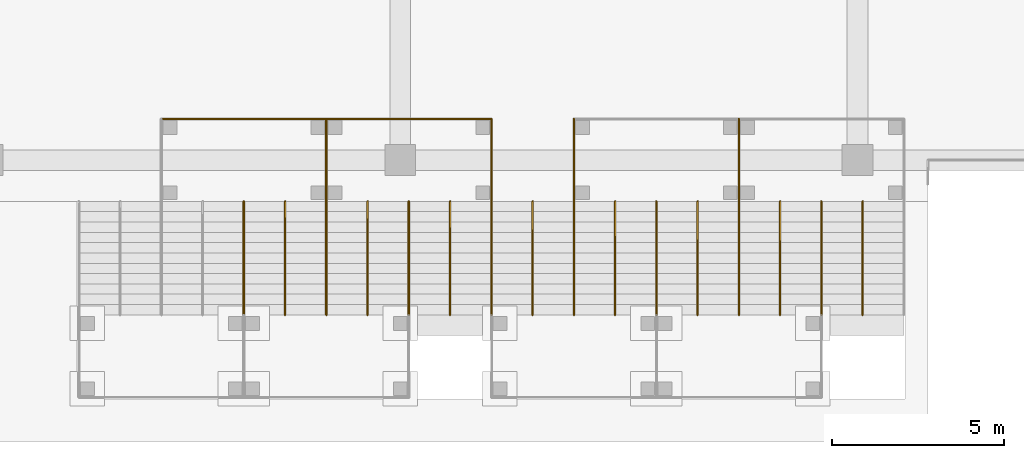
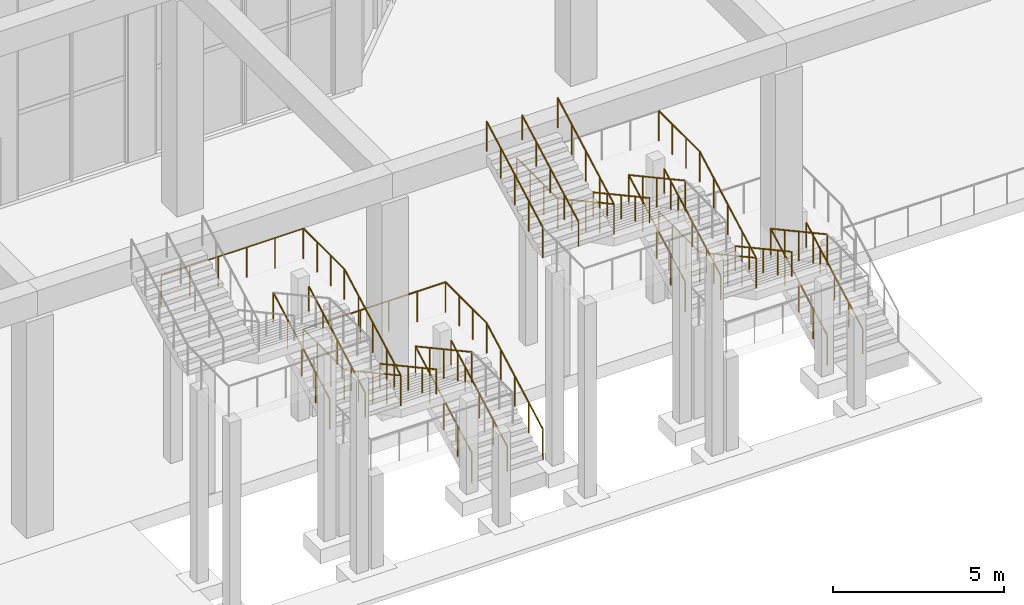
# One storey, part 33 of 43: 31 railings.
"""IFC4 building model written with IfcOpenShell, lengths in metres."""

from ifc_helpers import new_model, si_unit, direction, frame, origin, origin_2d, place, context, subcontext, project, spatial, circle, extrude, material, type_object, element, save


model = new_model("IFC4")

# Units and contexts
model_context = context("Model", 3, precision=1e-05, world=origin(), true_north=direction((0.0, 1.0)))
body_context = subcontext(model_context, "Body", "Model", "MODEL_VIEW")
ifc_project = project(units=[si_unit("LENGTHUNIT", "METRE"), si_unit("AREAUNIT", "SQUARE_METRE"), si_unit("VOLUMEUNIT", "CUBIC_METRE"), si_unit("PLANEANGLEUNIT", "RADIAN"), si_unit("MASSUNIT", "GRAM", prefix="KILO")], contexts=[model_context])

# Site, building, storey
site_placement = place(None, origin())
site = spatial("IfcSite", under=ifc_project, at=site_placement, CompositionType="ELEMENT")
building_placement = place(site_placement, origin())
building = spatial("IfcBuilding", under=site, at=building_placement, Name="Kilnfold Tower and Market Hall", CompositionType="ELEMENT")
storey_placement = place(building_placement, origin())
storey = spatial("IfcBuildingStorey", under=building, at=storey_placement, Name="L00", CompositionType="ELEMENT", Elevation=0.0)

# Railings
ifc_material_1 = material(Name="Stainless steel 316", Category="steel")
railing_type_1 = type_object("IfcRailingType", Name="DECK GUARD 1100", PredefinedType="GUARDRAIL", material=ifc_material_1)
railing_1_placement = place(storey_placement, frame((15.199951171875, -43.85009765625, 5.39990234375)))
element("IfcRailing", 1, at=railing_1_placement, inside=storey, type_object=railing_type_1, Name="Garden stair GS-S1 guard 5", PredefinedType="GUARDRAIL", context=body_context, shape_type="SweptSolid", body=[
    extrude(circle(Radius=0.02392578125, at=origin_2d()), frame((0.0, 0.0, 1.076171875), z_axis=(0.0, -0.877905501855, -0.478833927173), x_axis=(1.0, 0.0, 0.0)), (0.0, 0.0, 1.0), 3.7587890625),
    extrude(circle(Radius=0.02099609375, at=origin_2d()), origin(), (0.0, 0.0, 1.0), 1.052001953125),
    extrude(circle(Radius=0.02099609375, at=origin_2d()), frame((0.0, -0.824951171875, -0.449951171875)), (0.0, 0.0, 1.0), 1.052001953125),
    extrude(circle(Radius=0.02099609375, at=origin_2d()), frame((0.0, -1.64990234375, -0.89990234375)), (0.0, 0.0, 1.0), 1.052001953125),
    extrude(circle(Radius=0.02099609375, at=origin_2d()), frame((0.0, -2.474853515625, -1.349853515625)), (0.0, 0.0, 1.0), 1.052001953125),
    extrude(circle(Radius=0.02099609375, at=origin_2d()), frame((0.0, -3.2998046875, -1.7998046875)), (0.0, 0.0, 1.0), 1.052001953125),
])
railing_2_placement = place(storey_placement, frame((12.800048828125, -47.14990234375, 3.60009765625)))
element("IfcRailing", 2, at=railing_2_placement, inside=storey, type_object=railing_type_1, Name="Garden stair GS-S1 guard 6", PredefinedType="GUARDRAIL", context=body_context, shape_type="SweptSolid", body=[
    extrude(circle(Radius=0.02392578125, at=origin_2d()), frame((0.0, 0.0, 1.076171875), z_axis=(0.0, 0.877905501855, 0.478833927173), x_axis=(-1.0, 0.0, 0.0)), (0.0, 0.0, 1.0), 3.7587890625),
    extrude(circle(Radius=0.02099609375, at=origin_2d()), origin(), (0.0, 0.0, 1.0), 1.052001953125),
    extrude(circle(Radius=0.02099609375, at=origin_2d()), frame((0.0, 0.824951171875, 0.449951171875)), (0.0, 0.0, 1.0), 1.052001953125),
    extrude(circle(Radius=0.02099609375, at=origin_2d()), frame((0.0, 1.64990234375, 0.89990234375)), (0.0, 0.0, 1.0), 1.052001953125),
    extrude(circle(Radius=0.02099609375, at=origin_2d()), frame((0.0, 2.474853515625, 1.349853515625)), (0.0, 0.0, 1.0), 1.052001953125),
    extrude(circle(Radius=0.02099609375, at=origin_2d()), frame((0.0, 3.2998046875, 1.7998046875)), (0.0, 0.0, 1.0), 1.052001953125),
])
railing_3_placement = place(storey_placement, frame((17.60009765625, -43.85009765625, 1.800048828125)))
element("IfcRailing", 3, at=railing_3_placement, inside=storey, type_object=railing_type_1, Name="Garden stair GS-S1 guard 7", PredefinedType="GUARDRAIL", context=body_context, shape_type="SweptSolid", body=[
    extrude(circle(Radius=0.02392578125, at=origin_2d()), frame((0.0, 0.0, 1.076171875), z_axis=(0.0, -0.8778781969, 0.478883985332), x_axis=(1.0, 0.0, 0.0)), (0.0, 0.0, 1.0), 3.7587890625),
    extrude(circle(Radius=0.02099609375, at=origin_2d()), origin(), (0.0, 0.0, 1.0), 1.052001953125),
    extrude(circle(Radius=0.02099609375, at=origin_2d()), frame((0.0, -0.824951171875, 0.449951171875)), (0.0, 0.0, 1.0), 1.052001953125),
    extrude(circle(Radius=0.02099609375, at=origin_2d()), frame((0.0, -1.64990234375, 0.89990234375)), (0.0, 0.0, 1.0), 1.052001953125),
    extrude(circle(Radius=0.02099609375, at=origin_2d()), frame((0.0, -2.474853515625, 1.35009765625)), (0.0, 0.0, 1.0), 1.052001953125),
    extrude(circle(Radius=0.02099609375, at=origin_2d()), frame((0.0, -3.2998046875, 1.800048828125)), (0.0, 0.0, 1.0), 1.052001953125),
])
railing_4_placement = place(storey_placement, frame((15.199951171875, -47.14990234375, 3.60009765625)))
element("IfcRailing", 4, at=railing_4_placement, inside=storey, type_object=railing_type_1, Name="Garden stair GS-S1 guard 8", PredefinedType="GUARDRAIL", context=body_context, shape_type="SweptSolid", body=[
    extrude(circle(Radius=0.02392578125, at=origin_2d()), frame((0.0, 0.0, 1.076171875), z_axis=(0.0, 0.8778781969, -0.478883985332), x_axis=(-1.0, 0.0, 0.0)), (0.0, 0.0, 1.0), 3.7587890625),
    extrude(circle(Radius=0.02099609375, at=origin_2d()), origin(), (0.0, 0.0, 1.0), 1.052001953125),
    extrude(circle(Radius=0.02099609375, at=origin_2d()), frame((0.0, 0.824951171875, -0.449951171875)), (0.0, 0.0, 1.0), 1.052001953125),
    extrude(circle(Radius=0.02099609375, at=origin_2d()), frame((0.0, 1.64990234375, -0.89990234375)), (0.0, 0.0, 1.0), 1.052001953125),
    extrude(circle(Radius=0.02099609375, at=origin_2d()), frame((0.0, 2.474853515625, -1.35009765625)), (0.0, 0.0, 1.0), 1.052001953125),
    extrude(circle(Radius=0.02099609375, at=origin_2d()), frame((0.0, 3.2998046875, -1.800048828125)), (0.0, 0.0, 1.0), 1.052001953125),
])
railing_5_placement = place(storey_placement, frame((20.0, -43.85009765625, 1.800048828125)))
element("IfcRailing", 5, at=railing_5_placement, inside=storey, type_object=railing_type_1, Name="Garden stair GS-S1 guard 9", PredefinedType="GUARDRAIL", context=body_context, shape_type="SweptSolid", body=[
    extrude(circle(Radius=0.02392578125, at=origin_2d()), frame((0.0, 0.0, 1.076171875), z_axis=(0.0, -0.8778781969, -0.478883985332), x_axis=(1.0, 0.0, 0.0)), (0.0, 0.0, 1.0), 3.7587890625),
    extrude(circle(Radius=0.02099609375, at=origin_2d()), origin(), (0.0, 0.0, 1.0), 1.052001953125),
    extrude(circle(Radius=0.02099609375, at=origin_2d()), frame((0.0, -0.824951171875, -0.449951171875)), (0.0, 0.0, 1.0), 1.052001953125),
    extrude(circle(Radius=0.02099609375, at=origin_2d()), frame((0.0, -1.64990234375, -0.89990234375)), (0.0, 0.0, 1.0), 1.052001953125),
    extrude(circle(Radius=0.02099609375, at=origin_2d()), frame((0.0, -2.474853515625, -1.35009765625)), (0.0, 0.0, 1.0), 1.052001953125),
    extrude(circle(Radius=0.02099609375, at=origin_2d()), frame((0.0, -3.2998046875, -1.800048828125)), (0.0, 0.0, 1.0), 1.052001953125),
])
railing_6_placement = place(storey_placement, frame((17.60009765625, -47.14990234375, 0.0)))
element("IfcRailing", 6, at=railing_6_placement, inside=storey, type_object=railing_type_1, Name="Garden stair GS-S1 guard 10", PredefinedType="GUARDRAIL", context=body_context, shape_type="SweptSolid", body=[
    extrude(circle(Radius=0.02392578125, at=origin_2d()), frame((0.0, 0.0, 1.076171875), z_axis=(0.0, 0.8778781969, 0.478883985332), x_axis=(-1.0, 0.0, 0.0)), (0.0, 0.0, 1.0), 3.7587890625),
    extrude(circle(Radius=0.02099609375, at=origin_2d()), origin(), (0.0, 0.0, 1.0), 1.052001953125),
    extrude(circle(Radius=0.02099609375, at=origin_2d()), frame((0.0, 0.824951171875, 0.449951171875)), (0.0, 0.0, 1.0), 1.052001953125),
    extrude(circle(Radius=0.02099609375, at=origin_2d()), frame((0.0, 1.64990234375, 0.89990234375)), (0.0, 0.0, 1.0), 1.052001953125),
    extrude(circle(Radius=0.02099609375, at=origin_2d()), frame((0.0, 2.474853515625, 1.35009765625)), (0.0, 0.0, 1.0), 1.052001953125),
    extrude(circle(Radius=0.02099609375, at=origin_2d()), frame((0.0, 3.2998046875, 1.800048828125)), (0.0, 0.0, 1.0), 1.052001953125),
])
railing_7_placement = place(storey_placement, frame((10.39990234375, -41.449951171875, 5.39990234375)))
element("IfcRailing", 7, at=railing_7_placement, inside=storey, type_object=railing_type_1, Name="Garden stair GS-S1 guard 14", PredefinedType="GUARDRAIL", context=body_context, shape_type="SweptSolid", body=[
    extrude(circle(Radius=0.02392578125, at=origin_2d()), frame((0.0, 0.0, 1.076171875), z_axis=(1.0, 0.0, 0.0), x_axis=(0.0, 1.0, 0.0)), (0.0, 0.0, 1.0), 4.800048828125),
    extrude(circle(Radius=0.02099609375, at=origin_2d()), origin(), (0.0, 0.0, 1.0), 1.052001953125),
    extrude(circle(Radius=0.02099609375, at=origin_2d()), frame((0.9599609375, 0.0, 0.0)), (0.0, 0.0, 1.0), 1.052001953125),
    extrude(circle(Radius=0.02099609375, at=origin_2d()), frame((1.919921875, 0.0, 0.0)), (0.0, 0.0, 1.0), 1.052001953125),
    extrude(circle(Radius=0.02099609375, at=origin_2d()), frame((2.880126953125, 0.0, 0.0)), (0.0, 0.0, 1.0), 1.052001953125),
    extrude(circle(Radius=0.02099609375, at=origin_2d()), frame((3.840087890625, 0.0, 0.0)), (0.0, 0.0, 1.0), 1.052001953125),
    extrude(circle(Radius=0.02099609375, at=origin_2d()), frame((4.800048828125, 0.0, 0.0)), (0.0, 0.0, 1.0), 1.052001953125),
])
railing_8_placement = place(storey_placement, frame((15.199951171875, -41.449951171875, 5.39990234375)))
element("IfcRailing", 8, at=railing_8_placement, inside=storey, type_object=railing_type_1, Name="Garden stair GS-S1 guard 15", PredefinedType="GUARDRAIL", context=body_context, shape_type="SweptSolid", body=[
    extrude(circle(Radius=0.02392578125, at=origin_2d()), frame((0.0, 0.0, 1.076171875), z_axis=(0.0, -1.0, 0.0), x_axis=(1.0, 0.0, 0.0)), (0.0, 0.0, 1.0), 2.400146484375),
    extrude(circle(Radius=0.02099609375, at=origin_2d()), origin(), (0.0, 0.0, 1.0), 1.052001953125),
    extrude(circle(Radius=0.02099609375, at=origin_2d()), frame((0.0, -0.800048828125, 0.0)), (0.0, 0.0, 1.0), 1.052001953125),
    extrude(circle(Radius=0.02099609375, at=origin_2d()), frame((0.0, -1.60009765625, 0.0)), (0.0, 0.0, 1.0), 1.052001953125),
    extrude(circle(Radius=0.02099609375, at=origin_2d()), frame((0.0, -2.400146484375, 0.0)), (0.0, 0.0, 1.0), 1.052001953125),
])
railing_9_placement = place(storey_placement, frame((15.199951171875, -41.449951171875, 1.800048828125)))
element("IfcRailing", 9, at=railing_9_placement, inside=storey, type_object=railing_type_1, Name="Garden stair GS-S1 guard 20", PredefinedType="GUARDRAIL", context=body_context, shape_type="SweptSolid", body=[
    extrude(circle(Radius=0.02392578125, at=origin_2d()), frame((0.0, 0.0, 1.076171875), z_axis=(1.0, 0.0, 0.0), x_axis=(0.0, 1.0, 0.0)), (0.0, 0.0, 1.0), 4.800048828125),
    extrude(circle(Radius=0.02099609375, at=origin_2d()), origin(), (0.0, 0.0, 1.0), 1.052001953125),
    extrude(circle(Radius=0.02099609375, at=origin_2d()), frame((0.9599609375, 0.0, 0.0)), (0.0, 0.0, 1.0), 1.052001953125),
    extrude(circle(Radius=0.02099609375, at=origin_2d()), frame((1.919921875, 0.0, 0.0)), (0.0, 0.0, 1.0), 1.052001953125),
    extrude(circle(Radius=0.02099609375, at=origin_2d()), frame((2.880126953125, 0.0, 0.0)), (0.0, 0.0, 1.0), 1.052001953125),
    extrude(circle(Radius=0.02099609375, at=origin_2d()), frame((3.840087890625, 0.0, 0.0)), (0.0, 0.0, 1.0), 1.052001953125),
    extrude(circle(Radius=0.02099609375, at=origin_2d()), frame((4.800048828125, 0.0, 0.0)), (0.0, 0.0, 1.0), 1.052001953125),
])
railing_10_placement = place(storey_placement, frame((20.0, -41.449951171875, 1.800048828125)))
element("IfcRailing", 10, at=railing_10_placement, inside=storey, type_object=railing_type_1, Name="Garden stair GS-S1 guard 21", PredefinedType="GUARDRAIL", context=body_context, shape_type="SweptSolid", body=[
    extrude(circle(Radius=0.02392578125, at=origin_2d()), frame((0.0, 0.0, 1.076171875), z_axis=(0.0, -1.0, 0.0), x_axis=(1.0, 0.0, 0.0)), (0.0, 0.0, 1.0), 2.400146484375),
    extrude(circle(Radius=0.02099609375, at=origin_2d()), origin(), (0.0, 0.0, 1.0), 1.052001953125),
    extrude(circle(Radius=0.02099609375, at=origin_2d()), frame((0.0, -0.800048828125, 0.0)), (0.0, 0.0, 1.0), 1.052001953125),
    extrude(circle(Radius=0.02099609375, at=origin_2d()), frame((0.0, -1.60009765625, 0.0)), (0.0, 0.0, 1.0), 1.052001953125),
    extrude(circle(Radius=0.02099609375, at=origin_2d()), frame((0.0, -2.400146484375, 0.0)), (0.0, 0.0, 1.0), 1.052001953125),
])
railing_11_placement = place(storey_placement, frame((15.199951171875, -43.85009765625, 1.800048828125)))
element("IfcRailing", 11, at=railing_11_placement, inside=storey, type_object=railing_type_1, Name="Garden stair GS-S1 guard 22", PredefinedType="GUARDRAIL", context=body_context, shape_type="SweptSolid", body=[
    extrude(circle(Radius=0.02392578125, at=origin_2d()), frame((0.0, 0.0, 1.076171875), z_axis=(0.0, 1.0, 0.0), x_axis=(-1.0, 0.0, 0.0)), (0.0, 0.0, 1.0), 2.400146484375),
    extrude(circle(Radius=0.02099609375, at=origin_2d()), origin(), (0.0, 0.0, 1.0), 1.052001953125),
    extrude(circle(Radius=0.02099609375, at=origin_2d()), frame((0.0, 0.800048828125, 0.0)), (0.0, 0.0, 1.0), 1.052001953125),
    extrude(circle(Radius=0.02099609375, at=origin_2d()), frame((0.0, 1.60009765625, 0.0)), (0.0, 0.0, 1.0), 1.052001953125),
    extrude(circle(Radius=0.02099609375, at=origin_2d()), frame((0.0, 2.400146484375, 0.0)), (0.0, 0.0, 1.0), 1.052001953125),
])
railing_12_placement = place(storey_placement, frame((22.39990234375, -43.85009765625, 9.0)))
element("IfcRailing", 12, at=railing_12_placement, inside=storey, type_object=railing_type_1, Name="Garden stair GS-S2 guard 1", PredefinedType="GUARDRAIL", context=body_context, shape_type="SweptSolid", body=[
    extrude(circle(Radius=0.02392578125, at=origin_2d()), frame((0.0, 0.0, 1.076171875), z_axis=(0.0, -0.8778781969, -0.478883985332), x_axis=(1.0, 0.0, 0.0)), (0.0, 0.0, 1.0), 3.7587890625),
    extrude(circle(Radius=0.02099609375, at=origin_2d()), origin(), (0.0, 0.0, 1.0), 1.052001953125),
    extrude(circle(Radius=0.02099609375, at=origin_2d()), frame((0.0, -0.824951171875, -0.449951171875)), (0.0, 0.0, 1.0), 1.052001953125),
    extrude(circle(Radius=0.02099609375, at=origin_2d()), frame((0.0, -1.64990234375, -0.89990234375)), (0.0, 0.0, 1.0), 1.052001953125),
    extrude(circle(Radius=0.02099609375, at=origin_2d()), frame((0.0, -2.474853515625, -1.35009765625)), (0.0, 0.0, 1.0), 1.052001953125),
    extrude(circle(Radius=0.02099609375, at=origin_2d()), frame((0.0, -3.2998046875, -1.800048828125)), (0.0, 0.0, 1.0), 1.052001953125),
])
railing_13_placement = place(storey_placement, frame((20.0, -47.14990234375, 7.199951171875)))
element("IfcRailing", 13, at=railing_13_placement, inside=storey, type_object=railing_type_1, Name="Garden stair GS-S2 guard 2", PredefinedType="GUARDRAIL", context=body_context, shape_type="SweptSolid", body=[
    extrude(circle(Radius=0.02392578125, at=origin_2d()), frame((0.0, 0.0, 1.076171875), z_axis=(0.0, 0.8778781969, 0.478883985332), x_axis=(-1.0, 0.0, 0.0)), (0.0, 0.0, 1.0), 3.7587890625),
    extrude(circle(Radius=0.02099609375, at=origin_2d()), origin(), (0.0, 0.0, 1.0), 1.052001953125),
    extrude(circle(Radius=0.02099609375, at=origin_2d()), frame((0.0, 0.824951171875, 0.449951171875)), (0.0, 0.0, 1.0), 1.052001953125),
    extrude(circle(Radius=0.02099609375, at=origin_2d()), frame((0.0, 1.64990234375, 0.89990234375)), (0.0, 0.0, 1.0), 1.052001953125),
    extrude(circle(Radius=0.02099609375, at=origin_2d()), frame((0.0, 2.474853515625, 1.35009765625)), (0.0, 0.0, 1.0), 1.052001953125),
    extrude(circle(Radius=0.02099609375, at=origin_2d()), frame((0.0, 3.2998046875, 1.800048828125)), (0.0, 0.0, 1.0), 1.052001953125),
])
railing_14_placement = place(storey_placement, frame((24.800048828125, -43.85009765625, 5.39990234375)))
element("IfcRailing", 14, at=railing_14_placement, inside=storey, type_object=railing_type_1, Name="Garden stair GS-S2 guard 3", PredefinedType="GUARDRAIL", context=body_context, shape_type="SweptSolid", body=[
    extrude(circle(Radius=0.02392578125, at=origin_2d()), frame((0.0, 0.0, 1.076171875), z_axis=(0.0, -0.8778781969, 0.478883985332), x_axis=(1.0, 0.0, 0.0)), (0.0, 0.0, 1.0), 3.7587890625),
    extrude(circle(Radius=0.02099609375, at=origin_2d()), origin(), (0.0, 0.0, 1.0), 1.052001953125),
    extrude(circle(Radius=0.02099609375, at=origin_2d()), frame((0.0, -0.824951171875, 0.449951171875)), (0.0, 0.0, 1.0), 1.052001953125),
    extrude(circle(Radius=0.02099609375, at=origin_2d()), frame((0.0, -1.64990234375, 0.89990234375)), (0.0, 0.0, 1.0), 1.052001953125),
    extrude(circle(Radius=0.02099609375, at=origin_2d()), frame((0.0, -2.474853515625, 1.35009765625)), (0.0, 0.0, 1.0), 1.052001953125),
    extrude(circle(Radius=0.02099609375, at=origin_2d()), frame((0.0, -3.2998046875, 1.800048828125)), (0.0, 0.0, 1.0), 1.052001953125),
])
railing_15_placement = place(storey_placement, frame((22.39990234375, -47.14990234375, 7.199951171875)))
element("IfcRailing", 15, at=railing_15_placement, inside=storey, type_object=railing_type_1, Name="Garden stair GS-S2 guard 4", PredefinedType="GUARDRAIL", context=body_context, shape_type="SweptSolid", body=[
    extrude(circle(Radius=0.02392578125, at=origin_2d()), frame((0.0, 0.0, 1.076171875), z_axis=(0.0, 0.8778781969, -0.478883985332), x_axis=(-1.0, 0.0, 0.0)), (0.0, 0.0, 1.0), 3.7587890625),
    extrude(circle(Radius=0.02099609375, at=origin_2d()), origin(), (0.0, 0.0, 1.0), 1.052001953125),
    extrude(circle(Radius=0.02099609375, at=origin_2d()), frame((0.0, 0.824951171875, -0.449951171875)), (0.0, 0.0, 1.0), 1.052001953125),
    extrude(circle(Radius=0.02099609375, at=origin_2d()), frame((0.0, 1.64990234375, -0.89990234375)), (0.0, 0.0, 1.0), 1.052001953125),
    extrude(circle(Radius=0.02099609375, at=origin_2d()), frame((0.0, 2.474853515625, -1.35009765625)), (0.0, 0.0, 1.0), 1.052001953125),
    extrude(circle(Radius=0.02099609375, at=origin_2d()), frame((0.0, 3.2998046875, -1.800048828125)), (0.0, 0.0, 1.0), 1.052001953125),
])
railing_16_placement = place(storey_placement, frame((27.199951171875, -43.85009765625, 5.39990234375)))
element("IfcRailing", 16, at=railing_16_placement, inside=storey, type_object=railing_type_1, Name="Garden stair GS-S2 guard 5", PredefinedType="GUARDRAIL", context=body_context, shape_type="SweptSolid", body=[
    extrude(circle(Radius=0.02392578125, at=origin_2d()), frame((0.0, 0.0, 1.076171875), z_axis=(0.0, -0.877905501855, -0.478833927173), x_axis=(1.0, 0.0, 0.0)), (0.0, 0.0, 1.0), 3.7587890625),
    extrude(circle(Radius=0.02099609375, at=origin_2d()), origin(), (0.0, 0.0, 1.0), 1.052001953125),
    extrude(circle(Radius=0.02099609375, at=origin_2d()), frame((0.0, -0.824951171875, -0.449951171875)), (0.0, 0.0, 1.0), 1.052001953125),
    extrude(circle(Radius=0.02099609375, at=origin_2d()), frame((0.0, -1.64990234375, -0.89990234375)), (0.0, 0.0, 1.0), 1.052001953125),
    extrude(circle(Radius=0.02099609375, at=origin_2d()), frame((0.0, -2.474853515625, -1.349853515625)), (0.0, 0.0, 1.0), 1.052001953125),
    extrude(circle(Radius=0.02099609375, at=origin_2d()), frame((0.0, -3.2998046875, -1.7998046875)), (0.0, 0.0, 1.0), 1.052001953125),
])
railing_17_placement = place(storey_placement, frame((24.800048828125, -47.14990234375, 3.60009765625)))
element("IfcRailing", 17, at=railing_17_placement, inside=storey, type_object=railing_type_1, Name="Garden stair GS-S2 guard 6", PredefinedType="GUARDRAIL", context=body_context, shape_type="SweptSolid", body=[
    extrude(circle(Radius=0.02392578125, at=origin_2d()), frame((0.0, 0.0, 1.076171875), z_axis=(0.0, 0.877905501855, 0.478833927173), x_axis=(-1.0, 0.0, 0.0)), (0.0, 0.0, 1.0), 3.7587890625),
    extrude(circle(Radius=0.02099609375, at=origin_2d()), origin(), (0.0, 0.0, 1.0), 1.052001953125),
    extrude(circle(Radius=0.02099609375, at=origin_2d()), frame((0.0, 0.824951171875, 0.449951171875)), (0.0, 0.0, 1.0), 1.052001953125),
    extrude(circle(Radius=0.02099609375, at=origin_2d()), frame((0.0, 1.64990234375, 0.89990234375)), (0.0, 0.0, 1.0), 1.052001953125),
    extrude(circle(Radius=0.02099609375, at=origin_2d()), frame((0.0, 2.474853515625, 1.349853515625)), (0.0, 0.0, 1.0), 1.052001953125),
    extrude(circle(Radius=0.02099609375, at=origin_2d()), frame((0.0, 3.2998046875, 1.7998046875)), (0.0, 0.0, 1.0), 1.052001953125),
])
railing_18_placement = place(storey_placement, frame((29.60009765625, -43.85009765625, 1.800048828125)))
element("IfcRailing", 18, at=railing_18_placement, inside=storey, type_object=railing_type_1, Name="Garden stair GS-S2 guard 7", PredefinedType="GUARDRAIL", context=body_context, shape_type="SweptSolid", body=[
    extrude(circle(Radius=0.02392578125, at=origin_2d()), frame((0.0, 0.0, 1.076171875), z_axis=(0.0, -0.8778781969, 0.478883985332), x_axis=(1.0, 0.0, 0.0)), (0.0, 0.0, 1.0), 3.7587890625),
    extrude(circle(Radius=0.02099609375, at=origin_2d()), origin(), (0.0, 0.0, 1.0), 1.052001953125),
    extrude(circle(Radius=0.02099609375, at=origin_2d()), frame((0.0, -0.824951171875, 0.449951171875)), (0.0, 0.0, 1.0), 1.052001953125),
    extrude(circle(Radius=0.02099609375, at=origin_2d()), frame((0.0, -1.64990234375, 0.89990234375)), (0.0, 0.0, 1.0), 1.052001953125),
    extrude(circle(Radius=0.02099609375, at=origin_2d()), frame((0.0, -2.474853515625, 1.35009765625)), (0.0, 0.0, 1.0), 1.052001953125),
    extrude(circle(Radius=0.02099609375, at=origin_2d()), frame((0.0, -3.2998046875, 1.800048828125)), (0.0, 0.0, 1.0), 1.052001953125),
])
railing_19_placement = place(storey_placement, frame((27.199951171875, -47.14990234375, 3.60009765625)))
element("IfcRailing", 19, at=railing_19_placement, inside=storey, type_object=railing_type_1, Name="Garden stair GS-S2 guard 8", PredefinedType="GUARDRAIL", context=body_context, shape_type="SweptSolid", body=[
    extrude(circle(Radius=0.02392578125, at=origin_2d()), frame((0.0, 0.0, 1.076171875), z_axis=(0.0, 0.8778781969, -0.478883985332), x_axis=(-1.0, 0.0, 0.0)), (0.0, 0.0, 1.0), 3.7587890625),
    extrude(circle(Radius=0.02099609375, at=origin_2d()), origin(), (0.0, 0.0, 1.0), 1.052001953125),
    extrude(circle(Radius=0.02099609375, at=origin_2d()), frame((0.0, 0.824951171875, -0.449951171875)), (0.0, 0.0, 1.0), 1.052001953125),
    extrude(circle(Radius=0.02099609375, at=origin_2d()), frame((0.0, 1.64990234375, -0.89990234375)), (0.0, 0.0, 1.0), 1.052001953125),
    extrude(circle(Radius=0.02099609375, at=origin_2d()), frame((0.0, 2.474853515625, -1.35009765625)), (0.0, 0.0, 1.0), 1.052001953125),
    extrude(circle(Radius=0.02099609375, at=origin_2d()), frame((0.0, 3.2998046875, -1.800048828125)), (0.0, 0.0, 1.0), 1.052001953125),
])
railing_20_placement = place(storey_placement, frame((29.60009765625, -47.14990234375, 0.0)))
element("IfcRailing", 20, at=railing_20_placement, inside=storey, type_object=railing_type_1, Name="Garden stair GS-S2 guard 10", PredefinedType="GUARDRAIL", context=body_context, shape_type="SweptSolid", body=[
    extrude(circle(Radius=0.02392578125, at=origin_2d()), frame((0.0, 0.0, 1.076171875), z_axis=(0.0, 0.8778781969, 0.478883985332), x_axis=(-1.0, 0.0, 0.0)), (0.0, 0.0, 1.0), 3.7587890625),
    extrude(circle(Radius=0.02099609375, at=origin_2d()), origin(), (0.0, 0.0, 1.0), 1.052001953125),
    extrude(circle(Radius=0.02099609375, at=origin_2d()), frame((0.0, 0.824951171875, 0.449951171875)), (0.0, 0.0, 1.0), 1.052001953125),
    extrude(circle(Radius=0.02099609375, at=origin_2d()), frame((0.0, 1.64990234375, 0.89990234375)), (0.0, 0.0, 1.0), 1.052001953125),
    extrude(circle(Radius=0.02099609375, at=origin_2d()), frame((0.0, 2.474853515625, 1.35009765625)), (0.0, 0.0, 1.0), 1.052001953125),
    extrude(circle(Radius=0.02099609375, at=origin_2d()), frame((0.0, 3.2998046875, 1.800048828125)), (0.0, 0.0, 1.0), 1.052001953125),
])
railing_21_placement = place(storey_placement, frame((27.199951171875, -41.449951171875, 5.39990234375)))
element("IfcRailing", 21, at=railing_21_placement, inside=storey, type_object=railing_type_1, Name="Garden stair GS-S2 guard 15", PredefinedType="GUARDRAIL", context=body_context, shape_type="SweptSolid", body=[
    extrude(circle(Radius=0.02392578125, at=origin_2d()), frame((0.0, 0.0, 1.076171875), z_axis=(0.0, -1.0, 0.0), x_axis=(1.0, 0.0, 0.0)), (0.0, 0.0, 1.0), 2.400146484375),
    extrude(circle(Radius=0.02099609375, at=origin_2d()), origin(), (0.0, 0.0, 1.0), 1.052001953125),
    extrude(circle(Radius=0.02099609375, at=origin_2d()), frame((0.0, -0.800048828125, 0.0)), (0.0, 0.0, 1.0), 1.052001953125),
    extrude(circle(Radius=0.02099609375, at=origin_2d()), frame((0.0, -1.60009765625, 0.0)), (0.0, 0.0, 1.0), 1.052001953125),
    extrude(circle(Radius=0.02099609375, at=origin_2d()), frame((0.0, -2.400146484375, 0.0)), (0.0, 0.0, 1.0), 1.052001953125),
])
for number, where, name in (
    (22, (22.39990234375, -43.85009765625, 5.39990234375), "Garden stair GS-S2 guard 16"),
    (23, (27.199951171875, -43.85009765625, 1.800048828125), "Garden stair GS-S2 guard 22"),
):
    element("IfcRailing", number, at=place(storey_placement, frame(where)), inside=storey, type_object=railing_type_1, Name=name, PredefinedType="GUARDRAIL", context=body_context, shape_type="SweptSolid", body=[
        extrude(circle(Radius=0.02392578125, at=origin_2d()), frame((0.0, 0.0, 1.076171875), z_axis=(0.0, 1.0, 0.0), x_axis=(-1.0, 0.0, 0.0)), (0.0, 0.0, 1.0), 2.400146484375),
        extrude(circle(Radius=0.02099609375, at=origin_2d()), origin(), (0.0, 0.0, 1.0), 1.052001953125),
        extrude(circle(Radius=0.02099609375, at=origin_2d()), frame((0.0, 0.800048828125, 0.0)), (0.0, 0.0, 1.0), 1.052001953125),
        extrude(circle(Radius=0.02099609375, at=origin_2d()), frame((0.0, 1.60009765625, 0.0)), (0.0, 0.0, 1.0), 1.052001953125),
        extrude(circle(Radius=0.02099609375, at=origin_2d()), frame((0.0, 2.400146484375, 0.0)), (0.0, 0.0, 1.0), 1.052001953125),
    ])
ifc_material_2 = material(Name="Stainless steel 316", Category="steel")
railing_type_2 = type_object("IfcRailingType", Name="GARDEN STAIR HANDRAIL 900", PredefinedType="HANDRAIL", material=ifc_material_2)
railing_22_placement = place(storey_placement, frame((14.0, -43.85009765625, 5.39990234375)))
element("IfcRailing", 24, at=railing_22_placement, inside=storey, type_object=railing_type_2, Name="Garden stair GS-S1 handrail 5", PredefinedType="HANDRAIL", context=body_context, shape_type="SweptSolid", body=[
    extrude(circle(Radius=0.02392578125, at=origin_2d()), frame((0.0, 0.0, 0.8759765625), z_axis=(0.0, -0.877905501855, -0.478833927173), x_axis=(1.0, 0.0, 0.0)), (0.0, 0.0, 1.0), 3.7587890625),
    extrude(circle(Radius=0.02099609375, at=origin_2d()), origin(), (0.0, 0.0, 1.0), 0.851806640625),
    extrude(circle(Radius=0.02099609375, at=origin_2d()), frame((0.0, -0.824951171875, -0.449951171875)), (0.0, 0.0, 1.0), 0.851806640625),
    extrude(circle(Radius=0.02099609375, at=origin_2d()), frame((0.0, -1.64990234375, -0.89990234375)), (0.0, 0.0, 1.0), 0.851806640625),
    extrude(circle(Radius=0.02099609375, at=origin_2d()), frame((0.0, -2.474853515625, -1.349853515625)), (0.0, 0.0, 1.0), 0.851806640625),
    extrude(circle(Radius=0.02099609375, at=origin_2d()), frame((0.0, -3.2998046875, -1.7998046875)), (0.0, 0.0, 1.0), 0.851806640625),
])
railing_23_placement = place(storey_placement, frame((16.39990234375, -43.85009765625, 1.800048828125)))
element("IfcRailing", 25, at=railing_23_placement, inside=storey, type_object=railing_type_2, Name="Garden stair GS-S1 handrail 7", PredefinedType="HANDRAIL", context=body_context, shape_type="SweptSolid", body=[
    extrude(circle(Radius=0.02392578125, at=origin_2d()), frame((0.0, 0.0, 0.8759765625), z_axis=(0.0, -0.8778781969, 0.478883985332), x_axis=(1.0, 0.0, 0.0)), (0.0, 0.0, 1.0), 3.7587890625),
    extrude(circle(Radius=0.02099609375, at=origin_2d()), origin(), (0.0, 0.0, 1.0), 0.851806640625),
    extrude(circle(Radius=0.02099609375, at=origin_2d()), frame((0.0, -0.824951171875, 0.449951171875)), (0.0, 0.0, 1.0), 0.851806640625),
    extrude(circle(Radius=0.02099609375, at=origin_2d()), frame((0.0, -1.64990234375, 0.89990234375)), (0.0, 0.0, 1.0), 0.851806640625),
    extrude(circle(Radius=0.02099609375, at=origin_2d()), frame((0.0, -2.474853515625, 1.35009765625)), (0.0, 0.0, 1.0), 0.851806640625),
    extrude(circle(Radius=0.02099609375, at=origin_2d()), frame((0.0, -3.2998046875, 1.800048828125)), (0.0, 0.0, 1.0), 0.851806640625),
])
for number, where, name in (
    (26, (18.800048828125, -43.85009765625, 1.800048828125), "Garden stair GS-S1 handrail 9"),
    (27, (21.199951171875, -43.85009765625, 9.0), "Garden stair GS-S2 handrail 1"),
):
    element("IfcRailing", number, at=place(storey_placement, frame(where)), inside=storey, type_object=railing_type_2, Name=name, PredefinedType="HANDRAIL", context=body_context, shape_type="SweptSolid", body=[
        extrude(circle(Radius=0.02392578125, at=origin_2d()), frame((0.0, 0.0, 0.8759765625), z_axis=(0.0, -0.8778781969, -0.478883985332), x_axis=(1.0, 0.0, 0.0)), (0.0, 0.0, 1.0), 3.7587890625),
        extrude(circle(Radius=0.02099609375, at=origin_2d()), origin(), (0.0, 0.0, 1.0), 0.851806640625),
        extrude(circle(Radius=0.02099609375, at=origin_2d()), frame((0.0, -0.824951171875, -0.449951171875)), (0.0, 0.0, 1.0), 0.851806640625),
        extrude(circle(Radius=0.02099609375, at=origin_2d()), frame((0.0, -1.64990234375, -0.89990234375)), (0.0, 0.0, 1.0), 0.851806640625),
        extrude(circle(Radius=0.02099609375, at=origin_2d()), frame((0.0, -2.474853515625, -1.35009765625)), (0.0, 0.0, 1.0), 0.851806640625),
        extrude(circle(Radius=0.02099609375, at=origin_2d()), frame((0.0, -3.2998046875, -1.800048828125)), (0.0, 0.0, 1.0), 0.851806640625),
    ])
railing_24_placement = place(storey_placement, frame((23.60009765625, -43.85009765625, 5.39990234375)))
element("IfcRailing", 28, at=railing_24_placement, inside=storey, type_object=railing_type_2, Name="Garden stair GS-S2 handrail 3", PredefinedType="HANDRAIL", context=body_context, shape_type="SweptSolid", body=[
    extrude(circle(Radius=0.02392578125, at=origin_2d()), frame((0.0, 0.0, 0.8759765625), z_axis=(0.0, -0.8778781969, 0.478883985332), x_axis=(1.0, 0.0, 0.0)), (0.0, 0.0, 1.0), 3.7587890625),
    extrude(circle(Radius=0.02099609375, at=origin_2d()), origin(), (0.0, 0.0, 1.0), 0.851806640625),
    extrude(circle(Radius=0.02099609375, at=origin_2d()), frame((0.0, -0.824951171875, 0.449951171875)), (0.0, 0.0, 1.0), 0.851806640625),
    extrude(circle(Radius=0.02099609375, at=origin_2d()), frame((0.0, -1.64990234375, 0.89990234375)), (0.0, 0.0, 1.0), 0.851806640625),
    extrude(circle(Radius=0.02099609375, at=origin_2d()), frame((0.0, -2.474853515625, 1.35009765625)), (0.0, 0.0, 1.0), 0.851806640625),
    extrude(circle(Radius=0.02099609375, at=origin_2d()), frame((0.0, -3.2998046875, 1.800048828125)), (0.0, 0.0, 1.0), 0.851806640625),
])
railing_25_placement = place(storey_placement, frame((26.0, -43.85009765625, 5.39990234375)))
element("IfcRailing", 29, at=railing_25_placement, inside=storey, type_object=railing_type_2, Name="Garden stair GS-S2 handrail 5", PredefinedType="HANDRAIL", context=body_context, shape_type="SweptSolid", body=[
    extrude(circle(Radius=0.02392578125, at=origin_2d()), frame((0.0, 0.0, 0.8759765625), z_axis=(0.0, -0.877905501855, -0.478833927173), x_axis=(1.0, 0.0, 0.0)), (0.0, 0.0, 1.0), 3.7587890625),
    extrude(circle(Radius=0.02099609375, at=origin_2d()), origin(), (0.0, 0.0, 1.0), 0.851806640625),
    extrude(circle(Radius=0.02099609375, at=origin_2d()), frame((0.0, -0.824951171875, -0.449951171875)), (0.0, 0.0, 1.0), 0.851806640625),
    extrude(circle(Radius=0.02099609375, at=origin_2d()), frame((0.0, -1.64990234375, -0.89990234375)), (0.0, 0.0, 1.0), 0.851806640625),
    extrude(circle(Radius=0.02099609375, at=origin_2d()), frame((0.0, -2.474853515625, -1.349853515625)), (0.0, 0.0, 1.0), 0.851806640625),
    extrude(circle(Radius=0.02099609375, at=origin_2d()), frame((0.0, -3.2998046875, -1.7998046875)), (0.0, 0.0, 1.0), 0.851806640625),
])
railing_26_placement = place(storey_placement, frame((28.39990234375, -43.85009765625, 1.800048828125)))
element("IfcRailing", 30, at=railing_26_placement, inside=storey, type_object=railing_type_2, Name="Garden stair GS-S2 handrail 7", PredefinedType="HANDRAIL", context=body_context, shape_type="SweptSolid", body=[
    extrude(circle(Radius=0.02392578125, at=origin_2d()), frame((0.0, 0.0, 0.8759765625), z_axis=(0.0, -0.8778781969, 0.478883985332), x_axis=(1.0, 0.0, 0.0)), (0.0, 0.0, 1.0), 3.7587890625),
    extrude(circle(Radius=0.02099609375, at=origin_2d()), origin(), (0.0, 0.0, 1.0), 0.851806640625),
    extrude(circle(Radius=0.02099609375, at=origin_2d()), frame((0.0, -0.824951171875, 0.449951171875)), (0.0, 0.0, 1.0), 0.851806640625),
    extrude(circle(Radius=0.02099609375, at=origin_2d()), frame((0.0, -1.64990234375, 0.89990234375)), (0.0, 0.0, 1.0), 0.851806640625),
    extrude(circle(Radius=0.02099609375, at=origin_2d()), frame((0.0, -2.474853515625, 1.35009765625)), (0.0, 0.0, 1.0), 0.851806640625),
    extrude(circle(Radius=0.02099609375, at=origin_2d()), frame((0.0, -3.2998046875, 1.800048828125)), (0.0, 0.0, 1.0), 0.851806640625),
])
railing_27_placement = place(storey_placement, frame((30.800048828125, -43.85009765625, 1.800048828125)))
element("IfcRailing", 31, at=railing_27_placement, inside=storey, type_object=railing_type_2, Name="Garden stair GS-S2 handrail 9", PredefinedType="HANDRAIL", context=body_context, shape_type="SweptSolid", body=[
    extrude(circle(Radius=0.02392578125, at=origin_2d()), frame((0.0, 0.0, 0.8759765625), z_axis=(0.0, -0.8778781969, -0.478883985332), x_axis=(1.0, 0.0, 0.0)), (0.0, 0.0, 1.0), 3.7587890625),
    extrude(circle(Radius=0.02099609375, at=origin_2d()), origin(), (0.0, 0.0, 1.0), 0.851806640625),
    extrude(circle(Radius=0.02099609375, at=origin_2d()), frame((0.0, -0.824951171875, -0.449951171875)), (0.0, 0.0, 1.0), 0.851806640625),
    extrude(circle(Radius=0.02099609375, at=origin_2d()), frame((0.0, -1.64990234375, -0.89990234375)), (0.0, 0.0, 1.0), 0.851806640625),
    extrude(circle(Radius=0.02099609375, at=origin_2d()), frame((0.0, -2.474853515625, -1.35009765625)), (0.0, 0.0, 1.0), 0.851806640625),
    extrude(circle(Radius=0.02099609375, at=origin_2d()), frame((0.0, -3.2998046875, -1.800048828125)), (0.0, 0.0, 1.0), 0.851806640625),
])

save(model, "model.ifc")
